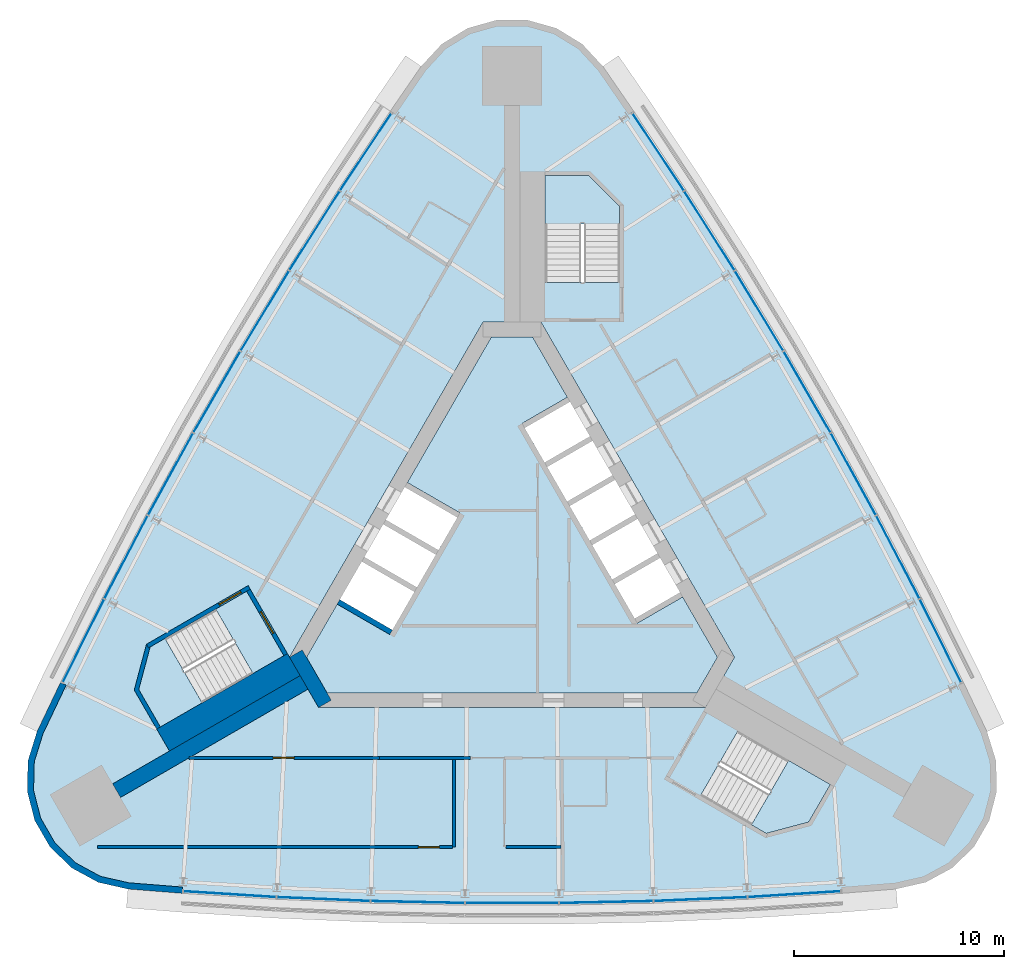
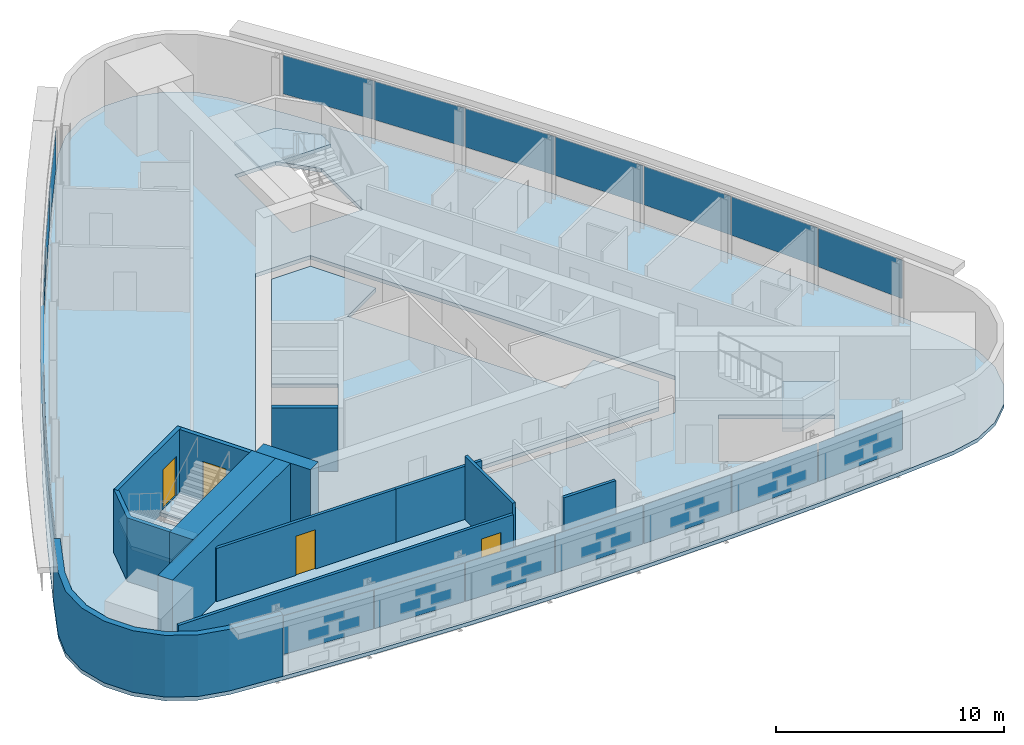
# One storey, part 7 of 12: 21 plates, 13 walls, 5 slabs, 4 doors, 4 openings, 6 elements without a shape of their own.
"""IFC4 building model written with IfcOpenShell, lengths in metres."""

from ifc_helpers import new_model, si_unit, direction, frame, frame_2d, origin, origin_2d, place, context, subcontext, project, spatial, polyline, rectangle, outline, extrude, material, layer, layer_set, type_object, element, fill, aggregate, save


model = new_model("IFC4")

# Units and contexts
model_context = context("Model", 3, precision=1e-05, world=origin(), true_north=direction((0.0, 1.0)))
body_context = subcontext(model_context, "Body", "Model", "MODEL_VIEW")
ifc_project = project(units=[si_unit("LENGTHUNIT", "METRE"), si_unit("AREAUNIT", "SQUARE_METRE"), si_unit("VOLUMEUNIT", "CUBIC_METRE"), si_unit("PLANEANGLEUNIT", "RADIAN"), si_unit("MASSUNIT", "GRAM", prefix="KILO")], contexts=[model_context])

# Site, building, storey
site_placement = place(None, origin())
site = spatial("IfcSite", under=ifc_project, at=site_placement, CompositionType="ELEMENT")
building_placement = place(site_placement, origin())
building = spatial("IfcBuilding", under=site, at=building_placement, Name="Noor Cloister Tower", CompositionType="ELEMENT")
storey_placement = place(building_placement, frame((0.0, 0.0, 161.699951171875)))
storey = spatial("IfcBuildingStorey", under=building, at=storey_placement, Name="L41", CompositionType="ELEMENT", Elevation=161.699951171875)

# Slabs
ifc_material_1 = material(Name="Concrete C40/50", Category="concrete")
ifc_layer_1 = layer(ifc_material_1, 0.199951171875)
ifc_layer_set_1 = layer_set([ifc_layer_1], Name="Core floor slab 200 C40/50")
slab_type_1 = type_object("IfcSlabType", Name="Core floor slab 200 C40/50", PredefinedType="FLOOR", material=ifc_layer_set_1)
slab_1_placement = place(storey_placement, frame((0.0, 0.0, -0.199951171875)))
element("IfcSlab", 1, at=slab_1_placement, inside=storey, type_object=slab_type_1, Name="Core floor L41", PredefinedType="FLOOR", context=body_context, shape_type="SweptSolid", body=[
    extrude(outline(polyline([(2.643798828125, 7.877197265625), (0.9814453125, 10.75634765625), (-0.9814453125, 10.75634765625), (-4.993896484375, 3.806884765625), (-2.482421875, 2.35693359375), (-5.832275390625, -3.4453125), (-8.34375, -1.995361328125), (-9.80615234375, -4.5283203125), (-8.82470703125, -6.228271484375), (8.82470703125, -6.228271484375), (9.80615234375, -4.5283203125), (8.143798828125, -1.64892578125), (5.978759765625, -2.89892578125), (0.478759765625, 6.627197265625), (2.643798828125, 7.877197265625)])), origin(), (0.0, 0.0, 1.0), 0.199951171875),
])
ifc_material_2 = material(Name="Concrete C40/50", Category="concrete")
ifc_layer_2 = layer(ifc_material_2, 0.199951171875)
ifc_layer_set_2 = layer_set([ifc_layer_2], Name="Floor slab 200 C40/50")
slab_type_2 = type_object("IfcSlabType", Name="Floor slab 200 C40/50", PredefinedType="FLOOR", material=ifc_layer_set_2)
slab_2_placement = place(storey_placement, frame((0.0, 0.0, -0.199951171875)))
element("IfcSlab", 2, at=slab_2_placement, inside=storey, type_object=slab_type_2, Name="Floor slab L41", PredefinedType="FLOOR", context=body_context, shape_type="SweptSolid", body=[
    extrude(outline(polyline([(4.335693359375, 23.665283203125), (3.3525390625, 24.728271484375), (2.11767578125, 25.484619140625), (0.72412109375, 25.87744140625), (-0.72412109375, 25.87744140625), (-2.11767578125, 25.484619140625), (-3.3525390625, 24.728271484375), (-4.335693359375, 23.665283203125), (-5.8095703125, 21.5244140625), (-8.2998046875, 17.7763671875), (-10.7109375, 13.97705078125), (-13.0419921875, 10.1279296875), (-15.2919921875, 6.23095703125), (-17.4599609375, 2.28759765625), (-19.544677734375, -1.7001953125), (-21.54541015625, -5.73095703125), (-22.66259765625, -8.077880859375), (-23.091552734375, -9.4609375), (-23.129150390625, -10.908447265625), (-22.772705078125, -12.311767578125), (-22.048583984375, -13.565673828125), (-21.011474609375, -14.576171875), (-19.739013671875, -15.267333984375), (-18.326904296875, -15.58740234375), (-15.73583984375, -15.79345703125), (-11.244873046875, -16.075927734375), (-6.748779296875, -16.264404296875), (-2.25, -16.358642578125), (2.25, -16.358642578125), (6.748779296875, -16.264404296875), (11.244873046875, -16.075927734375), (15.73583984375, -15.79345703125), (18.326904296875, -15.58740234375), (19.739013671875, -15.267333984375), (21.011474609375, -14.576171875), (22.048583984375, -13.565673828125), (22.772705078125, -12.311767578125), (23.129150390625, -10.908447265625), (23.091552734375, -9.4609375), (22.66259765625, -8.077880859375), (21.54541015625, -5.73095703125), (19.544677734375, -1.7001953125), (17.4599609375, 2.28759765625), (15.2919921875, 6.23095703125), (13.0419921875, 10.1279296875), (10.7109375, 13.97705078125), (8.2998046875, 17.7763671875), (5.8095703125, 21.5244140625), (4.335693359375, 23.665283203125)]), holes=[polyline([(8.999755859375, -11.126220703125), (12.131591796875, -12.934326171875), (14.1572265625, -12.3916015625), (15.19091796875, -10.601318359375), (10.774658203125, -8.0517578125), (8.999755859375, -11.126220703125)]), polyline([(-17.81005859375, -6.064697265625), (-16.776611328125, -7.85498046875), (-12.3603515625, -5.305419921875), (-14.13525390625, -2.23095703125), (-16.662841796875, -3.690185546875), (-17.267333984375, -4.039306640625), (-17.81005859375, -6.064697265625)]), polyline([(-10.6142578125, -4.5283203125), (-9.228759765625, -6.92822265625), (9.228759765625, -6.92822265625), (10.6142578125, -4.5283203125), (1.3857421875, 11.456298828125), (-1.3857421875, 11.456298828125), (-10.6142578125, -4.5283203125)]), polyline([(3.65283203125, 18.456298828125), (1.585693359375, 18.456298828125), (1.585693359375, 13.35693359375), (5.135498046875, 13.35693359375), (5.135498046875, 16.9736328125), (3.65283203125, 18.456298828125)])]), origin(), (0.0, 0.0, 1.0), 0.199951171875),
])

# Curtain wall, plates
ifc_material_3 = material(Name="Aluminium 6063-T6 anodised", Category="aluminium")
curtain_wall_type = type_object("IfcCurtainWallType", Name="Ribbon curtain wall, upper tower CW5", PredefinedType="NOTDEFINED", material=ifc_material_3)
curtain_wall_1_placement = place(storey_placement, origin())
curtain_wall_1 = element("IfcCurtainWall", 3, at=curtain_wall_1_placement, inside=storey, type_object=curtain_wall_type, Name="CW5 L41 NW run 1", PredefinedType="NOTDEFINED")
ifc_material_4 = material(Name="Clear laminated glass 2 x 8 mm", Category="glass")
ifc_layer_3 = layer(ifc_material_4, 0.028076171875)
ifc_layer_set_3 = layer_set([ifc_layer_3], Name="Glass panel CW5")
plate_type = type_object("IfcPlateType", Name="Glass panel CW5", PredefinedType="CURTAIN_PANEL", material=ifc_layer_set_3)
plate_1_placement = place(storey_placement, frame((-6.980712890625, 19.580810546875, 1.08984375), z_axis=(0.0, 0.0, 1.0), x_axis=(-0.553397582174, -0.832917232409, 0.0)))
plate_1 = element("IfcPlate", 4, at=plate_1_placement, type_object=plate_type, Name="CW5 glass panel 1", PredefinedType="CURTAIN_PANEL", context=body_context, shape_type="SweptSolid", body=[
    extrude(rectangle(XDim=4.413818359375, YDim=0.028076171875, at=origin_2d()), origin(), (0.0, 0.0, 1.0), 2.070068359375),
])
plate_2_placement = place(storey_placement, frame((-9.4208984375, 15.822998046875, 1.08984375), z_axis=(0.0, 0.0, 1.0), x_axis=(-0.535830876928, -0.844325335004, 0.0)))
plate_2 = element("IfcPlate", 5, at=plate_2_placement, type_object=plate_type, Name="CW5 glass panel 2", PredefinedType="CURTAIN_PANEL", context=body_context, shape_type="SweptSolid", body=[
    extrude(rectangle(XDim=4.44775390625, YDim=0.028076171875, at=origin_2d()), origin(), (0.0, 0.0, 1.0), 2.070068359375),
])
plate_3_placement = place(storey_placement, frame((-11.791015625, 12.000732421875, 1.08984375), z_axis=(0.0, 0.0, 1.0), x_axis=(-0.518029069563, -0.855363012462, 0.0)))
plate_3 = element("IfcPlate", 6, at=plate_3_placement, type_object=plate_type, Name="CW5 glass panel 3", PredefinedType="CURTAIN_PANEL", context=body_context, shape_type="SweptSolid", body=[
    extrude(rectangle(XDim=4.44775390625, YDim=0.028076171875, at=origin_2d()), origin(), (0.0, 0.0, 1.0), 2.070068359375),
])
plate_4_placement = place(storey_placement, frame((-14.08056640625, 8.12939453125, 1.08984375), z_axis=(0.0, 0.0, 1.0), x_axis=(-0.5, -0.866025403784, 0.0)))
plate_4 = element("IfcPlate", 7, at=plate_4_placement, type_object=plate_type, Name="CW5 glass panel 4", PredefinedType="CURTAIN_PANEL", context=body_context, shape_type="SweptSolid", body=[
    extrude(rectangle(XDim=4.44775390625, YDim=0.028076171875, at=origin_2d()), origin(), (0.0, 0.0, 1.0), 2.070068359375),
])
plate_5_placement = place(storey_placement, frame((-16.288330078125, 4.2109375, 1.08984375), z_axis=(0.0, 0.0, 1.0), x_axis=(-0.481751563468, -0.876307840371, 0.0)))
plate_5 = element("IfcPlate", 8, at=plate_5_placement, type_object=plate_type, Name="CW5 glass panel 5", PredefinedType="CURTAIN_PANEL", context=body_context, shape_type="SweptSolid", body=[
    extrude(rectangle(XDim=4.44775390625, YDim=0.028076171875, at=origin_2d()), origin(), (0.0, 0.0, 1.0), 2.070068359375),
])
plate_6_placement = place(storey_placement, frame((-18.41357421875, 0.247314453125, 1.08984375), z_axis=(0.0, 0.0, 1.0), x_axis=(-0.463291750708, -0.886205819054, 0.0)))
plate_6 = element("IfcPlate", 9, at=plate_6_placement, type_object=plate_type, Name="CW5 glass panel 6", PredefinedType="CURTAIN_PANEL", context=body_context, shape_type="SweptSolid", body=[
    extrude(rectangle(XDim=4.44775390625, YDim=0.028076171875, at=origin_2d()), origin(), (0.0, 0.0, 1.0), 2.070068359375),
])
plate_7_placement = place(storey_placement, frame((-20.447998046875, -3.744873046875, 1.08984375), z_axis=(0.0, 0.0, 1.0), x_axis=(-0.444628691429, -0.89571498076, 0.0)))
plate_7 = element("IfcPlate", 10, at=plate_7_placement, type_object=plate_type, Name="CW5 glass panel 7", PredefinedType="CURTAIN_PANEL", context=body_context, shape_type="SweptSolid", body=[
    extrude(rectangle(XDim=4.413818359375, YDim=0.028076171875, at=origin_2d()), origin(), (0.0, 0.0, 1.0), 2.070068359375),
])
aggregate(curtain_wall_1, [plate_1, plate_2, plate_3, plate_4, plate_5, plate_6, plate_7])

curtain_wall_2_placement = place(storey_placement, origin())
curtain_wall_2 = element("IfcCurtainWall", 11, at=curtain_wall_2_placement, inside=storey, type_object=curtain_wall_type, Name="CW5 L41 S run 2", PredefinedType="NOTDEFINED")
plate_8_placement = place(storey_placement, frame((-13.467041015625, -15.8359375, 1.08984375), z_axis=(0.0, 0.0, 1.0), x_axis=(0.998026273603, -0.062797748351, 0.0)))
plate_8 = element("IfcPlate", 12, at=plate_8_placement, type_object=plate_type, Name="CW5 glass panel 1", PredefinedType="CURTAIN_PANEL", context=body_context, shape_type="SweptSolid", body=[
    extrude(rectangle(XDim=4.413818359375, YDim=0.028076171875, at=origin_2d()), origin(), (0.0, 0.0, 1.0), 2.070068359375),
])
plate_9_placement = place(storey_placement, frame((-8.99267578125, -16.0703125, 1.08984375), z_axis=(0.0, 0.0, 1.0), x_axis=(0.999122627637, -0.04188048405, 0.0)))
plate_9 = element("IfcPlate", 13, at=plate_9_placement, type_object=plate_type, Name="CW5 glass panel 2", PredefinedType="CURTAIN_PANEL", context=body_context, shape_type="SweptSolid", body=[
    extrude(rectangle(XDim=4.44775390625, YDim=0.028076171875, at=origin_2d()), origin(), (0.0, 0.0, 1.0), 2.070068359375),
])
plate_10_placement = place(storey_placement, frame((-4.497314453125, -16.211669921875, 1.08984375), z_axis=(0.0, 0.0, 1.0), x_axis=(0.999780633031, -0.020944827909, 0.0)))
plate_10 = element("IfcPlate", 14, at=plate_10_placement, type_object=plate_type, Name="CW5 glass panel 3", PredefinedType="CURTAIN_PANEL", context=body_context, shape_type="SweptSolid", body=[
    extrude(rectangle(XDim=4.44775390625, YDim=0.028076171875, at=origin_2d()), origin(), (0.0, 0.0, 1.0), 2.070068359375),
])
plate_11_placement = place(storey_placement, frame((0.0, -16.2587890625, 1.08984375), z_axis=(0.0, 0.0, 1.0), x_axis=(1.0, 0.0, 0.0)))
plate_11 = element("IfcPlate", 15, at=plate_11_placement, type_object=plate_type, Name="CW5 glass panel 4", PredefinedType="CURTAIN_PANEL", context=body_context, shape_type="SweptSolid", body=[
    extrude(rectangle(XDim=4.44775390625, YDim=0.028076171875, at=origin_2d()), origin(), (0.0, 0.0, 1.0), 2.070068359375),
])
plate_12_placement = place(storey_placement, frame((4.497314453125, -16.211669921875, 1.08984375), z_axis=(0.0, 0.0, 1.0), x_axis=(0.999780633031, 0.020944827909, 0.0)))
plate_12 = element("IfcPlate", 16, at=plate_12_placement, type_object=plate_type, Name="CW5 glass panel 5", PredefinedType="CURTAIN_PANEL", context=body_context, shape_type="SweptSolid", body=[
    extrude(rectangle(XDim=4.44775390625, YDim=0.028076171875, at=origin_2d()), origin(), (0.0, 0.0, 1.0), 2.070068359375),
])
plate_13_placement = place(storey_placement, frame((8.99267578125, -16.0703125, 1.08984375), z_axis=(0.0, 0.0, 1.0), x_axis=(0.999122627637, 0.04188048405, 0.0)))
plate_13 = element("IfcPlate", 17, at=plate_13_placement, type_object=plate_type, Name="CW5 glass panel 6", PredefinedType="CURTAIN_PANEL", context=body_context, shape_type="SweptSolid", body=[
    extrude(rectangle(XDim=4.44775390625, YDim=0.028076171875, at=origin_2d()), origin(), (0.0, 0.0, 1.0), 2.070068359375),
])
plate_14_placement = place(storey_placement, frame((13.467041015625, -15.8359375, 1.08984375), z_axis=(0.0, 0.0, 1.0), x_axis=(0.998026273603, 0.062797748351, 0.0)))
plate_14 = element("IfcPlate", 18, at=plate_14_placement, type_object=plate_type, Name="CW5 glass panel 7", PredefinedType="CURTAIN_PANEL", context=body_context, shape_type="SweptSolid", body=[
    extrude(rectangle(XDim=4.413818359375, YDim=0.028076171875, at=origin_2d()), origin(), (0.0, 0.0, 1.0), 2.070068359375),
])
aggregate(curtain_wall_2, [plate_8, plate_9, plate_10, plate_11, plate_12, plate_13, plate_14])

curtain_wall_3_placement = place(storey_placement, origin())
curtain_wall_3 = element("IfcCurtainWall", 19, at=curtain_wall_3_placement, inside=storey, type_object=curtain_wall_type, Name="CW5 L41 NE run 3", PredefinedType="NOTDEFINED")
plate_15_placement = place(storey_placement, frame((20.447998046875, -3.744873046875, 1.08984375), z_axis=(0.0, 0.0, 1.0), x_axis=(-0.444628691429, 0.89571498076, 0.0)))
plate_15 = element("IfcPlate", 20, at=plate_15_placement, type_object=plate_type, Name="CW5 glass panel 1", PredefinedType="CURTAIN_PANEL", context=body_context, shape_type="SweptSolid", body=[
    extrude(rectangle(XDim=4.413818359375, YDim=0.028076171875, at=origin_2d()), origin(), (0.0, 0.0, 1.0), 2.070068359375),
])
plate_16_placement = place(storey_placement, frame((18.41357421875, 0.247314453125, 1.08984375), z_axis=(0.0, 0.0, 1.0), x_axis=(-0.463291750708, 0.886205819054, 0.0)))
plate_16 = element("IfcPlate", 21, at=plate_16_placement, type_object=plate_type, Name="CW5 glass panel 2", PredefinedType="CURTAIN_PANEL", context=body_context, shape_type="SweptSolid", body=[
    extrude(rectangle(XDim=4.44775390625, YDim=0.028076171875, at=origin_2d()), origin(), (0.0, 0.0, 1.0), 2.070068359375),
])
plate_17_placement = place(storey_placement, frame((16.288330078125, 4.2109375, 1.08984375), z_axis=(0.0, 0.0, 1.0), x_axis=(-0.481751563468, 0.876307840371, 0.0)))
plate_17 = element("IfcPlate", 22, at=plate_17_placement, type_object=plate_type, Name="CW5 glass panel 3", PredefinedType="CURTAIN_PANEL", context=body_context, shape_type="SweptSolid", body=[
    extrude(rectangle(XDim=4.44775390625, YDim=0.028076171875, at=origin_2d()), origin(), (0.0, 0.0, 1.0), 2.070068359375),
])
plate_18_placement = place(storey_placement, frame((14.08056640625, 8.12939453125, 1.08984375), z_axis=(0.0, 0.0, 1.0), x_axis=(-0.5, 0.866025403784, 0.0)))
plate_18 = element("IfcPlate", 23, at=plate_18_placement, type_object=plate_type, Name="CW5 glass panel 4", PredefinedType="CURTAIN_PANEL", context=body_context, shape_type="SweptSolid", body=[
    extrude(rectangle(XDim=4.44775390625, YDim=0.028076171875, at=origin_2d()), origin(), (0.0, 0.0, 1.0), 2.070068359375),
])
plate_19_placement = place(storey_placement, frame((11.791015625, 12.000732421875, 1.08984375), z_axis=(0.0, 0.0, 1.0), x_axis=(-0.518029069563, 0.855363012462, 0.0)))
plate_19 = element("IfcPlate", 24, at=plate_19_placement, type_object=plate_type, Name="CW5 glass panel 5", PredefinedType="CURTAIN_PANEL", context=body_context, shape_type="SweptSolid", body=[
    extrude(rectangle(XDim=4.44775390625, YDim=0.028076171875, at=origin_2d()), origin(), (0.0, 0.0, 1.0), 2.070068359375),
])
plate_20_placement = place(storey_placement, frame((9.4208984375, 15.822998046875, 1.08984375), z_axis=(0.0, 0.0, 1.0), x_axis=(-0.535830876928, 0.844325335004, 0.0)))
plate_20 = element("IfcPlate", 25, at=plate_20_placement, type_object=plate_type, Name="CW5 glass panel 6", PredefinedType="CURTAIN_PANEL", context=body_context, shape_type="SweptSolid", body=[
    extrude(rectangle(XDim=4.44775390625, YDim=0.028076171875, at=origin_2d()), origin(), (0.0, 0.0, 1.0), 2.070068359375),
])
plate_21_placement = place(storey_placement, frame((6.980712890625, 19.580810546875, 1.08984375), z_axis=(0.0, 0.0, 1.0), x_axis=(-0.553397582174, 0.832917232409, 0.0)))
plate_21 = element("IfcPlate", 26, at=plate_21_placement, type_object=plate_type, Name="CW5 glass panel 7", PredefinedType="CURTAIN_PANEL", context=body_context, shape_type="SweptSolid", body=[
    extrude(rectangle(XDim=4.413818359375, YDim=0.028076171875, at=origin_2d()), origin(), (0.0, 0.0, 1.0), 2.070068359375),
])
aggregate(curtain_wall_3, [plate_15, plate_16, plate_17, plate_18, plate_19, plate_20, plate_21])

# Stair, slab
ifc_material_5 = material(Name="Concrete C40/50", Category="concrete")
stair_type = type_object("IfcStairType", Name="Exit stair 22 risers", PredefinedType="HALF_TURN_STAIR", material=ifc_material_5)
stair_1_placement = place(storey_placement, origin())
stair_1 = element("IfcStair", 27, at=stair_1_placement, inside=storey, type_object=stair_type, Name="Exit stair ST1 L41", PredefinedType="HALF_TURN_STAIR")
ifc_material_6 = material(Name="Concrete C40/50", Category="concrete")
ifc_layer_4 = layer(ifc_material_6, 0.199951171875)
ifc_layer_set_4 = layer_set([ifc_layer_4], Name="Stair landing 200 C40/50")
slab_type_3 = type_object("IfcSlabType", Name="Stair landing 200 C40/50", PredefinedType="LANDING", material=ifc_layer_set_4)
slab_3_placement = place(storey_placement, frame((0.0, 0.0, 1.60009765625)))
slab_3 = element("IfcSlab", 28, at=slab_3_placement, type_object=slab_type_3, Name="ST1 landing 1", PredefinedType="LANDING", context=body_context, shape_type="SweptSolid", body=[
    extrude(outline(polyline([(5.135498046875, 16.15576171875), (5.135498046875, 16.9736328125), (3.65283203125, 18.456298828125), (1.585693359375, 18.456298828125), (1.585693359375, 16.15576171875), (5.135498046875, 16.15576171875)])), origin(), (0.0, 0.0, 1.0), 0.199951171875),
])
aggregate(stair_1, [slab_3])

stair_2_placement = place(storey_placement, origin())
stair_2 = element("IfcStair", 29, at=stair_2_placement, inside=storey, type_object=stair_type, Name="Exit stair ST2 L41", PredefinedType="HALF_TURN_STAIR")
slab_4_placement = place(storey_placement, frame((0.0, 0.0, 1.60009765625)))
slab_4 = element("IfcSlab", 30, at=slab_4_placement, type_object=slab_type_3, Name="ST2 landing 1", PredefinedType="LANDING", context=body_context, shape_type="SweptSolid", body=[
    extrude(outline(polyline([(-16.55908203125, -3.63037109375), (-17.267333984375, -4.039306640625), (-17.81005859375, -6.064697265625), (-16.776611328125, -7.85498046875), (-14.7841796875, -6.70458984375), (-16.55908203125, -3.63037109375)])), origin(), (0.0, 0.0, 1.0), 0.199951171875),
])
aggregate(stair_2, [slab_4])

stair_3_placement = place(storey_placement, origin())
stair_3 = element("IfcStair", 31, at=stair_3_placement, inside=storey, type_object=stair_type, Name="Exit stair ST3 L41", PredefinedType="HALF_TURN_STAIR")
slab_5_placement = place(storey_placement, frame((0.0, 0.0, 1.60009765625)))
slab_5 = element("IfcSlab", 32, at=slab_5_placement, type_object=slab_type_3, Name="ST3 landing 1", PredefinedType="LANDING", context=body_context, shape_type="SweptSolid", body=[
    extrude(outline(polyline([(11.423583984375, -12.525390625), (12.131591796875, -12.934326171875), (14.1572265625, -12.3916015625), (15.19091796875, -10.601318359375), (13.198486328125, -9.451171875), (11.423583984375, -12.525390625)])), origin(), (0.0, 0.0, 1.0), 0.199951171875),
])
aggregate(stair_3, [slab_5])

# Walls
ifc_material_7 = material(Name="Concrete C70/85", Category="concrete")
ifc_layer_5 = layer(ifc_material_7, 0.75)
ifc_layer_set_5 = layer_set([ifc_layer_5], Name="Buttress wall 750 C70/85")
wall_type_1 = type_object("IfcWallType", Name="Buttress wall 750 C70/85", PredefinedType="SHEAR", material=ifc_layer_set_5)
wall_1_placement = place(storey_placement, frame((-9.921630859375, -5.728271484375, -0.199951171875), z_axis=(0.0, 0.0, 1.0), x_axis=(-0.866025410072, -0.499999989109, 0.0)))
element("IfcWall", 33, at=wall_1_placement, inside=storey, type_object=wall_type_1, Name="Buttress wall SW L41", PredefinedType="SHEAR", context=body_context, shape_type="SweptSolid", body=[
    extrude(rectangle(XDim=10.33056640625, YDim=0.75, at=frame_2d((5.165283203125, 0.0))), origin(), (0.0, 0.0, 1.0), 3.60009765625),
])
ifc_material_8 = material(Name="Concrete C70/85", Category="concrete")
ifc_layer_6 = layer(ifc_material_8, 0.699951171875)
ifc_layer_set_6 = layer_set([ifc_layer_6], Name="Core wall 700 C70/85")
wall_type_2 = type_object("IfcWallType", Name="Core wall 700 C70/85", PredefinedType="SHEAR", material=ifc_layer_set_6)
wall_2_placement = place(storey_placement, frame((-10.311279296875, -4.353271484375, -0.199951171875), z_axis=(0.0, 0.0, 1.0), x_axis=(0.500042739161, -0.866000726912, 0.0)))
element("IfcWall", 34, at=wall_2_placement, inside=storey, type_object=wall_type_2, Name="Core wall L41 6", PredefinedType="SHEAR", context=body_context, shape_type="SweptSolid", body=[
    extrude(rectangle(XDim=2.771240234375, YDim=0.699951171875, at=frame_2d((1.3857421875, 0.0))), origin(), (0.0, 0.0, 1.0), 3.60009765625),
])

# Wall, opening, door
ifc_material_9 = material(Name="Gypsum board partition on steel studs, 150 mm", Category="steel")
ifc_layer_7 = layer(ifc_material_9, 0.14990234375)
ifc_layer_set_7 = layer_set([ifc_layer_7], Name="Flat wall 150")
wall_type_3 = type_object("IfcWallType", Name="Flat wall 150", PredefinedType="PARTITIONING", material=ifc_layer_set_7)
wall_3_placement = place(storey_placement, frame((-15.406982421875, -9.328125, 0.0), z_axis=(0.0, 0.0, 1.0), x_axis=(1.0, 0.0, 0.0)))
wall_3 = element("IfcWall", 35, at=wall_3_placement, inside=storey, type_object=wall_type_3, Name="Wall L41-W14", PredefinedType="PARTITIONING", context=body_context, shape_type="SweptSolid", body=[
    extrude(rectangle(XDim=9.076171875, YDim=0.14990234375, at=frame_2d((4.5380859375, 0.0))), origin(), (0.0, 0.0, 1.0), 2.84716796875),
])
opening_1_placement = place(wall_3_placement, frame((4.01318359375, 0.0, 0.0)))
opening_1 = element("IfcOpeningElement", 36, at=opening_1_placement, cuts=wall_3, Name="Opening L41-011", PredefinedType="OPENING", context=body_context, shape_type="SweptSolid", body=[
    extrude(rectangle(XDim=1.0, YDim=2.10009765625, at=frame_2d((0.5, 1.050048828125))), frame((0.0, 0.0849609375, 0.0), z_axis=(0.0, -1.0, 0.0), x_axis=(1.0, 0.0, 0.0)), (0.0, 0.0, 1.0), 0.169921875),
])
ifc_material_10 = material(Name="Timber door leaf with steel frame", Category="steel")
door_type_1 = type_object("IfcDoorType", Name="Interior door 1000 FD60", OperationType="NOTDEFINED", PredefinedType="DOOR", material=ifc_material_10)
door_1_placement = place(opening_1_placement, origin())
door_1 = element("IfcDoor", 37, at=door_1_placement, inside=storey, type_object=door_type_1, Name="Door L41-011", OperationType="SINGLE_SWING_LEFT", OverallHeight=2.10009765625, OverallWidth=1.0, PredefinedType="DOOR", context=body_context, shape_type="SweptSolid", body=[
    extrude(rectangle(XDim=1.0, YDim=2.10009765625, at=frame_2d((0.5, 1.050048828125))), frame((0.0, 0.02490234375, 0.0), z_axis=(0.0, -1.0, 0.0), x_axis=(1.0, 0.0, 0.0)), (0.0, 0.0, 1.0), 0.050048828125),
])
fill(opening_1, door_1)

# Walls
wall_4_placement = place(storey_placement, frame((-6.330810546875, -9.328125, 0.0), z_axis=(0.0, 0.0, 1.0), x_axis=(1.0, 0.0, 0.0)))
element("IfcWall", 38, at=wall_4_placement, inside=storey, type_object=wall_type_3, Name="Wall L41-W16", PredefinedType="PARTITIONING", context=body_context, shape_type="SweptSolid", body=[
    extrude(rectangle(XDim=4.3544921875, YDim=0.14990234375, at=frame_2d((2.17724609375, 0.0))), origin(), (0.0, 0.0, 1.0), 2.84716796875),
])
wall_5_placement = place(storey_placement, frame((-2.76171875, -9.4033203125, 0.0), z_axis=(0.0, 0.0, 1.0), x_axis=(0.0, -1.0, 0.0)))
element("IfcWall", 39, at=wall_5_placement, inside=storey, type_object=wall_type_3, Name="Wall L41-W18", PredefinedType="PARTITIONING", context=body_context, shape_type="SweptSolid", body=[
    extrude(rectangle(XDim=4.18310546875, YDim=0.14990234375, at=frame_2d((2.091552734375, 0.0))), origin(), (0.0, 0.0, 1.0), 3.400146484375),
])

# Wall, opening, door
wall_6_placement = place(storey_placement, frame((-19.782470703125, -13.58642578125, 0.0), z_axis=(0.0, 0.0, 1.0), x_axis=(1.0, 0.0, 0.0)))
wall_6 = element("IfcWall", 40, at=wall_6_placement, inside=storey, type_object=wall_type_3, Name="Wall L41-W20", PredefinedType="PARTITIONING", context=body_context, shape_type="SweptSolid", body=[
    extrude(rectangle(XDim=16.94580078125, YDim=0.14990234375, at=frame_2d((8.472900390625, 0.0))), origin(), (0.0, 0.0, 1.0), 2.84716796875),
])
opening_2_placement = place(wall_6_placement, frame((15.32080078125, 0.0, 0.0)))
opening_2 = element("IfcOpeningElement", 41, at=opening_2_placement, cuts=wall_6, Name="Opening L41-010", PredefinedType="OPENING", context=body_context, shape_type="SweptSolid", body=[
    extrude(rectangle(XDim=1.0, YDim=2.10009765625, at=frame_2d((0.5, 1.050048828125))), frame((0.0, 0.0849609375, 0.0), z_axis=(0.0, -1.0, 0.0), x_axis=(1.0, 0.0, 0.0)), (0.0, 0.0, 1.0), 0.169921875),
])
door_2_placement = place(opening_2_placement, origin())
door_2 = element("IfcDoor", 42, at=door_2_placement, inside=storey, type_object=door_type_1, Name="Door L41-010", OperationType="SINGLE_SWING_RIGHT", OverallHeight=2.10009765625, OverallWidth=1.0, PredefinedType="DOOR", context=body_context, shape_type="SweptSolid", body=[
    extrude(rectangle(XDim=1.0, YDim=2.10009765625, at=frame_2d((0.5, 1.050048828125))), frame((0.0, 0.02490234375, 0.0), z_axis=(0.0, -1.0, 0.0), x_axis=(1.0, 0.0, 0.0)), (0.0, 0.0, 1.0), 0.050048828125),
])
fill(opening_2, door_2)

# Walls
wall_7_placement = place(storey_placement, frame((-0.28662109375, -13.58642578125, 0.0), z_axis=(0.0, 0.0, 1.0), x_axis=(1.0, 0.0, 0.0)))
element("IfcWall", 43, at=wall_7_placement, inside=storey, type_object=wall_type_3, Name="Wall L41-W21", PredefinedType="PARTITIONING", context=body_context, shape_type="SweptSolid", body=[
    extrude(rectangle(XDim=2.632568359375, YDim=0.14990234375, at=frame_2d((1.31640625, 0.0))), origin(), (0.0, 0.0, 1.0), 2.84716796875),
])
ifc_material_11 = material(Name="Limestone", Category="masonry")
ifc_layer_8 = layer(ifc_material_11, 0.300048828125)
ifc_layer_set_8 = layer_set([ifc_layer_8], Name="Limestone cladding 300")
wall_type_4 = type_object("IfcWallType", Name="Limestone cladding 300", PredefinedType="NOTDEFINED", material=ifc_layer_set_8)
wall_8_placement = place(storey_placement, origin())
element("IfcWall", 44, at=wall_8_placement, inside=storey, type_object=wall_type_4, Name="Limestone pier cladding L41 1.1", PredefinedType="NOTDEFINED", context=body_context, shape_type="SweptSolid", body=[
    extrude(outline(polyline([(-21.54541015625, -5.73095703125), (-22.66259765625, -8.077880859375), (-23.091552734375, -9.4609375), (-23.129150390625, -10.908447265625), (-22.772705078125, -12.311767578125), (-22.048583984375, -13.565673828125), (-21.011474609375, -14.576171875), (-19.739013671875, -15.267333984375), (-18.326904296875, -15.58740234375), (-15.73583984375, -15.79345703125), (-15.712158203125, -15.494384765625), (-18.281494140625, -15.2900390625), (-19.63232421875, -14.984130859375), (-20.831787109375, -14.33251953125), (-21.8095703125, -13.3798828125), (-22.491943359375, -12.19775390625), (-22.828125, -10.874755859375), (-22.792724609375, -9.510009765625), (-22.38232421875, -8.187255859375), (-21.274658203125, -5.85986328125), (-21.54541015625, -5.73095703125)])), origin(), (0.0, 0.0, 1.0), 3.300048828125),
])
ifc_material_12 = material(Name="Concrete C70/85", Category="concrete")
ifc_layer_9 = layer(ifc_material_12, 0.25)
ifc_layer_set_9 = layer_set([ifc_layer_9], Name="Shaft wall 250 C70/85")
wall_type_5 = type_object("IfcWallType", Name="Shaft wall 250 C70/85", PredefinedType="PARTITIONING", material=ifc_layer_set_9)
wall_9_placement = place(storey_placement, frame((-8.28125, -1.88720703125, -0.199951171875), z_axis=(0.0, 0.0, 1.0), x_axis=(0.866032775405, -0.499987231761, 0.0)))
element("IfcWall", 45, at=wall_9_placement, inside=storey, type_object=wall_type_5, Name="Lift shaft wall L41 NW 6", PredefinedType="PARTITIONING", context=body_context, shape_type="SweptSolid", body=[
    extrude(rectangle(XDim=2.89990234375, YDim=0.25, at=frame_2d((1.449951171875, 0.0))), origin(), (0.0, 0.0, 1.0), 3.60009765625),
])
ifc_material_13 = material(Name="Concrete C70/85", Category="concrete")
ifc_layer_10 = layer(ifc_material_13, 1.2109375)
ifc_layer_set_10 = layer_set([ifc_layer_10], Name="Stair enclosure wall 1211 C70/85")
wall_type_6 = type_object("IfcWallType", Name="Stair enclosure wall 1211 C70/85", PredefinedType="SHEAR", material=ifc_layer_set_10)
wall_10_placement = place(storey_placement, frame((-10.41162109375, -4.879150390625, -0.199951171875), z_axis=(0.0, 0.0, 1.0), x_axis=(-0.866026919366, -0.499997374926, 0.0)))
element("IfcWall", 46, at=wall_10_placement, inside=storey, type_object=wall_type_6, Name="Stair enclosure wall ST2 L41 riser side", PredefinedType="SHEAR", context=body_context, shape_type="SweptSolid", body=[
    extrude(rectangle(XDim=7.2001953125, YDim=1.210693359375, at=frame_2d((3.60009765625, 0.0))), origin(), (0.0, 0.0, 1.0), 3.60009765625),
])

# Wall, opening, door
ifc_material_14 = material(Name="Concrete C70/85", Category="concrete")
ifc_layer_11 = layer(ifc_material_14, 0.199951171875)
ifc_layer_set_11 = layer_set([ifc_layer_11], Name="Stair enclosure wall 200 C70/85")
wall_type_7 = type_object("IfcWallType", Name="Stair enclosure wall 200 C70/85", PredefinedType="SHEAR", material=ifc_layer_set_11)
wall_11_placement = place(storey_placement, frame((-12.575927734375, -1.33056640625, -0.199951171875), z_axis=(0.0, 0.0, 1.0), x_axis=(0.499970499736, -0.8660424351, 0.0)))
wall_11 = element("IfcWall", 47, at=wall_11_placement, inside=storey, type_object=wall_type_7, Name="Stair enclosure wall ST2 L41 near end", PredefinedType="SHEAR", context=body_context, shape_type="SweptSolid", body=[
    extrude(rectangle(XDim=3.550048828125, YDim=0.199951171875, at=frame_2d((1.77490234375, 0.0))), origin(), (0.0, 0.0, 1.0), 3.60009765625),
])
opening_3_placement = place(wall_11_placement, frame((1.175048828125, 0.0, 0.199951171875)))
opening_3 = element("IfcOpeningElement", 48, at=opening_3_placement, cuts=wall_11, Name="Opening L41-ST2L", PredefinedType="OPENING", context=body_context, shape_type="SweptSolid", body=[
    extrude(rectangle(XDim=1.199951171875, YDim=2.10009765625, at=frame_2d((0.60009765625, 1.050048828125))), frame((0.0, 0.10986328125, 0.0), z_axis=(0.0, -1.0, 0.0), x_axis=(1.0, 0.0, 0.0)), (0.0, 0.0, 1.0), 0.219970703125),
])
ifc_material_15 = material(Name="Steel", Category="steel")
door_type_2 = type_object("IfcDoorType", Name="Stair door 1200 x 2100 FD120", OperationType="SINGLE_SWING_LEFT", PredefinedType="DOOR", material=ifc_material_15)
door_3_placement = place(opening_3_placement, origin())
door_3 = element("IfcDoor", 49, at=door_3_placement, inside=storey, type_object=door_type_2, Name="Stair door ST2 L41", OperationType="SINGLE_SWING_RIGHT", OverallHeight=2.10009765625, OverallWidth=1.199951171875, PredefinedType="DOOR", context=body_context, shape_type="SweptSolid", body=[
    extrude(rectangle(XDim=1.199951171875, YDim=2.10009765625, at=frame_2d((0.60009765625, 1.050048828125))), frame((0.0, 0.02490234375, 0.0), z_axis=(0.0, -1.0, 0.0), x_axis=(1.0, 0.0, 0.0)), (0.0, 0.0, 1.0), 0.050048828125),
])
fill(opening_3, door_3)

wall_12_placement = place(storey_placement, frame((-12.539306640625, -1.194091796875, -0.199951171875), z_axis=(0.0, 0.0, 1.0), x_axis=(-0.866045472092, -0.499965239061, 0.0)))
wall_12 = element("IfcWall", 50, at=wall_12_placement, inside=storey, type_object=wall_type_7, Name="Stair enclosure wall ST2 L41 outer side", PredefinedType="SHEAR", context=body_context, shape_type="SweptSolid", body=[
    extrude(rectangle(XDim=5.60009765625, YDim=0.199951171875, at=frame_2d((2.800048828125, 0.0))), origin(), (0.0, 0.0, 1.0), 3.60009765625),
])
opening_4_placement = place(wall_12_placement, frame((0.449951171875, 0.0, 0.199951171875)))
opening_4 = element("IfcOpeningElement", 51, at=opening_4_placement, cuts=wall_12, Name="Opening L41-ST2C", PredefinedType="OPENING", context=body_context, shape_type="SweptSolid", body=[
    extrude(rectangle(XDim=1.199951171875, YDim=2.10009765625, at=frame_2d((0.60009765625, 1.050048828125))), frame((0.0, 0.10986328125, 0.0), z_axis=(0.0, -1.0, 0.0), x_axis=(1.0, 0.0, 0.0)), (0.0, 0.0, 1.0), 0.219970703125),
])
door_4_placement = place(opening_4_placement, origin())
door_4 = element("IfcDoor", 52, at=door_4_placement, inside=storey, type_object=door_type_2, Name="Stair door ST2 L41", OperationType="SINGLE_SWING_LEFT", OverallHeight=2.10009765625, OverallWidth=1.199951171875, PredefinedType="DOOR", context=body_context, shape_type="SweptSolid", body=[
    extrude(rectangle(XDim=1.199951171875, YDim=2.10009765625, at=frame_2d((0.60009765625, 1.050048828125))), frame((0.0, 0.02490234375, 0.0), z_axis=(0.0, -1.0, 0.0), x_axis=(1.0, 0.0, 0.0)), (0.0, 0.0, 1.0), 0.050048828125),
])
fill(opening_4, door_4)

# Wall
ifc_material_16 = material(Name="Concrete C70/85", Category="concrete")
wall_type_8 = type_object("IfcWallType", Name="Stair far end wall C70/85", PredefinedType="SHEAR", material=ifc_material_16)
wall_13_placement = place(storey_placement, frame((0.0, 0.0, -0.199951171875)))
element("IfcWall", 53, at=wall_13_placement, inside=storey, type_object=wall_type_8, Name="Stair enclosure wall ST2 L41 far end", PredefinedType="SHEAR", context=body_context, shape_type="SweptSolid", body=[
    extrude(outline(polyline([(-17.439208984375, -3.907470703125), (-18.024658203125, -6.093017578125), (-16.94970703125, -7.955078125), (-16.776611328125, -7.85498046875), (-17.81005859375, -6.064697265625), (-17.267333984375, -4.039306640625), (-17.339111328125, -4.08056640625), (-17.339111328125, -4.08056640625), (-17.339111328125, -4.08056640625), (-17.339111328125, -4.08056640625), (-17.339111328125, -4.08056640625), (-17.339111328125, -4.08056640625), (-17.339111328125, -4.08056640625), (-17.339111328125, -4.08056640625), (-17.339111328125, -4.08056640625), (-17.339111328125, -4.08056640625), (-17.339111328125, -4.08056640625), (-17.339111328125, -4.08056640625), (-17.339111328125, -4.08056640625), (-17.339111328125, -4.08056640625), (-17.339111328125, -4.08056640625), (-17.339111328125, -4.08056640625), (-17.339111328125, -4.08056640625), (-17.439208984375, -3.907470703125)])), origin(), (0.0, 0.0, 1.0), 3.60009765625),
])

save(model, "model.ifc")
